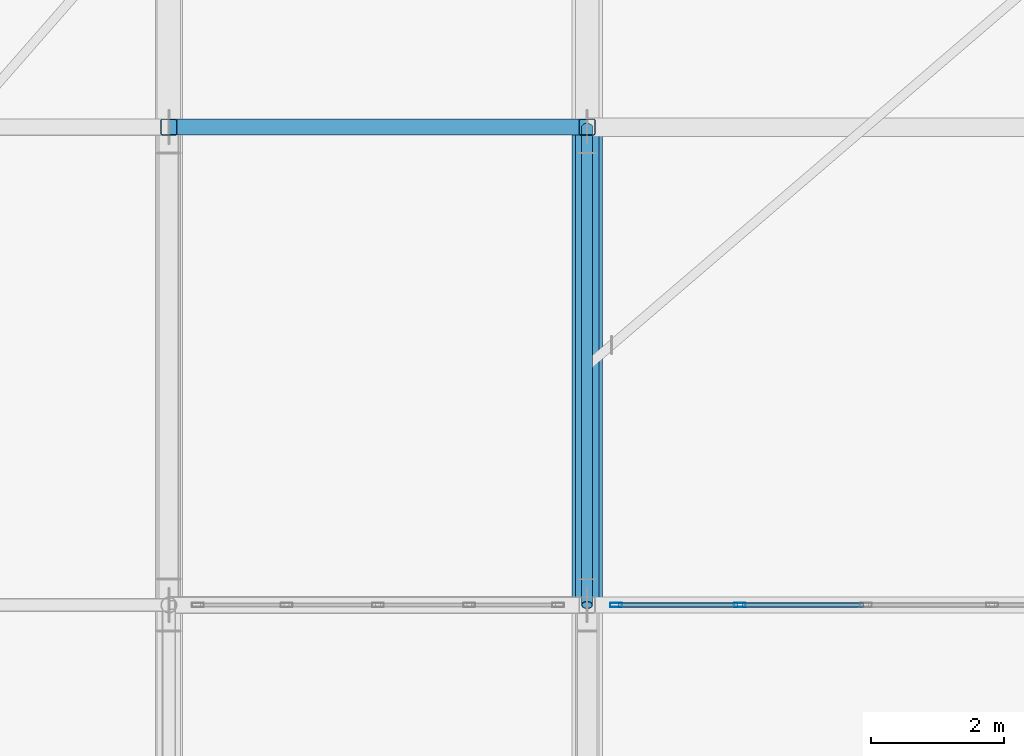
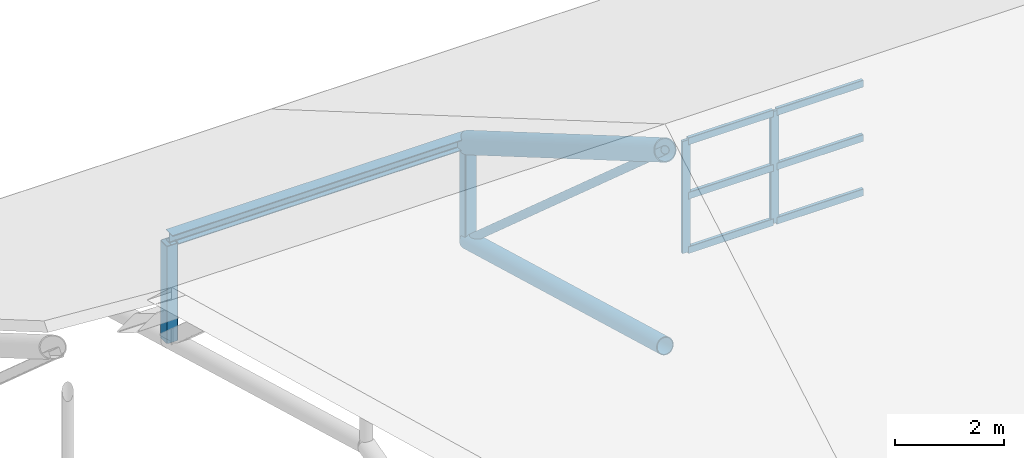
# One storey, part 8 of 54: 14 members, 1 element without a shape of its own.
"""IFC4 building model written with IfcOpenShell, lengths in metres."""

from ifc_helpers import new_model, si_unit, direction, frame, origin, origin_2d, place, context, subcontext, project, spatial, hollow_rectangle, hollow_circle, i_section, extrude, material, layer, layer_set, material_profile, profile_set, type_object, element, aggregate, save


model = new_model("IFC4")

# Units and contexts
model_context = context("Model", 3, precision=1e-05, world=origin(), true_north=direction((0.0, 1.0)))
body_context = subcontext(model_context, "Body", "Model", "MODEL_VIEW")
ifc_project = project(units=[si_unit("LENGTHUNIT", "METRE"), si_unit("AREAUNIT", "SQUARE_METRE"), si_unit("VOLUMEUNIT", "CUBIC_METRE"), si_unit("PLANEANGLEUNIT", "RADIAN"), si_unit("MASSUNIT", "GRAM", prefix="KILO")], contexts=[model_context])

# Site, building, storey
site_placement = place(None, origin())
site = spatial("IfcSite", under=ifc_project, at=site_placement, CompositionType="ELEMENT")
building_placement = place(site_placement, origin())
building = spatial("IfcBuilding", under=site, at=building_placement, Name="Zulmaris Art Gallery", CompositionType="ELEMENT")
storey_placement = place(building_placement, frame((0.0, 0.0, 26.39990234375)))
storey = spatial("IfcBuildingStorey", under=building, at=storey_placement, Name="L05", CompositionType="ELEMENT", Elevation=26.39990234375)

# Curtain wall, members
ifc_material_1 = material(Name="Pitched Roof North-Light Clerestory Wall", Category="aluminium")
ifc_layer = layer(ifc_material_1, 0.179931640625)
ifc_layer_set = layer_set([ifc_layer], Name="Pitched Roof North-Light Clerestory Wall")
curtain_wall_type = type_object("IfcCurtainWallType", Name="CW-CW05", PredefinedType="NOTDEFINED", material=ifc_layer_set)
curtain_wall_placement = place(storey_placement, origin())
curtain_wall = element("IfcCurtainWall", 1, at=curtain_wall_placement, inside=storey, type_object=curtain_wall_type, Name="L05 curtain wall 45", PredefinedType="NOTDEFINED")
ifc_material_2 = material(Name="Anodised Bronze Aluminium", Category="aluminium")
ifc_material_profile_1 = material_profile(ifc_material_2, hollow_rectangle(XDim=0.06494140625, YDim=0.179931640625, WallThickness=0.00390625, InnerFilletRadius=0.006103515625, OuterFilletRadius=0.010009765625, at=origin_2d()), Name="ALU 65x180x4")
ifc_profile_set_1 = profile_set([ifc_material_profile_1], Name="Anodised Bronze Aluminium")
member_type_1 = type_object("IfcMemberType", Name="CWMUL-01", PredefinedType="MULLION", material=ifc_profile_set_1)
member_1_placement = place(storey_placement, frame((24.4375, 36.0, 5.400146484375), z_axis=(0.0, 0.0, 1.0), x_axis=(0.0, 1.0, 0.0)))
member_1 = element("IfcMember", 2, at=member_1_placement, type_object=member_type_1, Name="CW05 mullion 1", PredefinedType="MULLION", context=body_context, shape_type="SweptSolid", body=[
    extrude(hollow_rectangle(XDim=0.06494140625, YDim=0.179931640625, WallThickness=0.00390625, InnerFilletRadius=0.006103515625, OuterFilletRadius=0.010009765625, at=origin_2d()), origin(), (0.0, 0.0, 1.0), 2.5),
])
member_2_placement = place(storey_placement, frame((26.300048828125, 36.0, 5.400146484375), z_axis=(0.0, 0.0, 1.0), x_axis=(0.0, 1.0, 0.0)))
member_2 = element("IfcMember", 3, at=member_2_placement, type_object=member_type_1, Name="CW05 mullion 2", PredefinedType="MULLION", context=body_context, shape_type="SweptSolid", body=[
    extrude(hollow_rectangle(XDim=0.06494140625, YDim=0.179931640625, WallThickness=0.00390625, InnerFilletRadius=0.006103515625, OuterFilletRadius=0.010009765625, at=origin_2d()), origin(), (0.0, 0.0, 1.0), 2.5),
])
ifc_material_profile_2 = material_profile(ifc_material_2, hollow_rectangle(XDim=0.074951171875, YDim=0.159912109375, WallThickness=0.00390625, InnerFilletRadius=0.006103515625, OuterFilletRadius=0.010009765625, at=origin_2d()), Name="ALU 75x160x4")
ifc_profile_set_2 = profile_set([ifc_material_profile_2], Name="Anodised Bronze Aluminium")
member_type_2 = type_object("IfcMemberType", Name="CWTRN-02", PredefinedType="USERDEFINED", material=ifc_profile_set_2)
member_3_placement = place(storey_placement, frame((24.47509765625, 36.0, 5.4375), z_axis=(1.0, 0.0, 0.0), x_axis=(0.0, 1.0, 0.0)))
member_3 = element("IfcMember", 4, at=member_3_placement, type_object=member_type_2, Name="CW05 transom 1.1", ObjectType="TRANSOM", PredefinedType="USERDEFINED", context=body_context, shape_type="SweptSolid", body=[
    extrude(hollow_rectangle(XDim=0.074951171875, YDim=0.159912109375, WallThickness=0.00390625, InnerFilletRadius=0.006103515625, OuterFilletRadius=0.010009765625, at=origin_2d()), origin(), (0.0, 0.0, 1.0), 1.787353515625),
])
member_4_placement = place(storey_placement, frame((24.47509765625, 36.0, 6.650146484375), z_axis=(1.0, 0.0, 0.0), x_axis=(0.0, 1.0, 0.0)))
member_4 = element("IfcMember", 5, at=member_4_placement, type_object=member_type_2, Name="CW05 transom 1.2", ObjectType="TRANSOM", PredefinedType="USERDEFINED", context=body_context, shape_type="SweptSolid", body=[
    extrude(hollow_rectangle(XDim=0.074951171875, YDim=0.159912109375, WallThickness=0.00390625, InnerFilletRadius=0.006103515625, OuterFilletRadius=0.010009765625, at=origin_2d()), origin(), (0.0, 0.0, 1.0), 1.787353515625),
])
member_5_placement = place(storey_placement, frame((24.47509765625, 36.0, 7.862548828125), z_axis=(1.0, 0.0, 0.0), x_axis=(0.0, 1.0, 0.0)))
member_5 = element("IfcMember", 6, at=member_5_placement, type_object=member_type_2, Name="CW05 transom 1.3", ObjectType="TRANSOM", PredefinedType="USERDEFINED", context=body_context, shape_type="SweptSolid", body=[
    extrude(hollow_rectangle(XDim=0.074951171875, YDim=0.159912109375, WallThickness=0.00390625, InnerFilletRadius=0.006103515625, OuterFilletRadius=0.010009765625, at=origin_2d()), origin(), (0.0, 0.0, 1.0), 1.787353515625),
])
member_6_placement = place(storey_placement, frame((26.33740234375, 36.0, 5.4375), z_axis=(1.0, 0.0, 0.0), x_axis=(0.0, 1.0, 0.0)))
member_6 = element("IfcMember", 7, at=member_6_placement, type_object=member_type_2, Name="CW05 transom 2.1", ObjectType="TRANSOM", PredefinedType="USERDEFINED", context=body_context, shape_type="SweptSolid", body=[
    extrude(hollow_rectangle(XDim=0.074951171875, YDim=0.159912109375, WallThickness=0.00390625, InnerFilletRadius=0.006103515625, OuterFilletRadius=0.010009765625, at=origin_2d()), origin(), (0.0, 0.0, 1.0), 1.8251953125),
])
member_7_placement = place(storey_placement, frame((26.33740234375, 36.0, 6.650146484375), z_axis=(1.0, 0.0, 0.0), x_axis=(0.0, 1.0, 0.0)))
member_7 = element("IfcMember", 8, at=member_7_placement, type_object=member_type_2, Name="CW05 transom 2.2", ObjectType="TRANSOM", PredefinedType="USERDEFINED", context=body_context, shape_type="SweptSolid", body=[
    extrude(hollow_rectangle(XDim=0.074951171875, YDim=0.159912109375, WallThickness=0.00390625, InnerFilletRadius=0.006103515625, OuterFilletRadius=0.010009765625, at=origin_2d()), origin(), (0.0, 0.0, 1.0), 1.8251953125),
])
member_8_placement = place(storey_placement, frame((26.33740234375, 36.0, 7.862548828125), z_axis=(1.0, 0.0, 0.0), x_axis=(0.0, 1.0, 0.0)))
member_8 = element("IfcMember", 9, at=member_8_placement, type_object=member_type_2, Name="CW05 transom 2.3", ObjectType="TRANSOM", PredefinedType="USERDEFINED", context=body_context, shape_type="SweptSolid", body=[
    extrude(hollow_rectangle(XDim=0.074951171875, YDim=0.159912109375, WallThickness=0.00390625, InnerFilletRadius=0.006103515625, OuterFilletRadius=0.010009765625, at=origin_2d()), origin(), (0.0, 0.0, 1.0), 1.8251953125),
])
aggregate(curtain_wall, [member_1, member_2, member_3, member_4, member_5, member_6, member_7, member_8])

# Members
ifc_material_3 = material(Name="Steel S355J2", Category="steel")
ifc_material_profile_3 = material_profile(ifc_material_3, i_section(OverallWidth=0.239990234375, OverallDepth=0.239990234375, WebThickness=0.010009765625, FlangeThickness=0.01708984375, FilletRadius=0.02099609375, at=origin_2d()), Name="HEB 240")
ifc_profile_set_3 = profile_set([ifc_material_profile_3], Name="Steel S355J2")
member_type_3 = type_object("IfcMemberType", Name="MEM-PR05", PredefinedType="PURLIN", material=ifc_profile_set_3)
member_9_placement = place(storey_placement, frame((17.699951171875, 43.199951171875, 3.7001953125), z_axis=(1.0, 0.0, 0.0), x_axis=(0.0, 1.0, 0.0)))
element("IfcMember", 10, at=member_9_placement, inside=storey, type_object=member_type_3, Name="Skylight roof purlin bay 2 line 4", PredefinedType="PURLIN", context=body_context, shape_type="SweptSolid", body=[
    extrude(i_section(OverallWidth=0.239990234375, OverallDepth=0.239990234375, WebThickness=0.010009765625, FlangeThickness=0.01708984375, FilletRadius=0.02099609375, at=origin_2d()), origin(), (0.0, 0.0, 1.0), 6.300048828125),
])
ifc_material_4 = material(Name="Steel S355J2H", Category="steel")
ifc_material_profile_4 = material_profile(ifc_material_4, hollow_circle(Radius=0.084228515625, WallThickness=0.008056640625, at=origin_2d()), Name="CHS 168.3x8")
ifc_profile_set_4 = profile_set([ifc_material_profile_4], Name="Steel S355J2H")
member_type_4 = type_object("IfcMemberType", Name="MEM-TB01", PredefinedType="BRACE", material=ifc_profile_set_4)
member_10_placement = place(storey_placement, frame((24.0, 36.0, 7.820068359375), z_axis=(0.0, 0.748961175261, -0.662613883006), x_axis=(-1.0, 0.0, 0.0)))
element("IfcMember", 11, at=member_10_placement, inside=storey, type_object=member_type_4, Name="Pitched gallery truss TR-R03 diagonal 3", PredefinedType="BRACE", context=body_context, shape_type="SweptSolid", body=[
    extrude(hollow_circle(Radius=0.084228515625, WallThickness=0.008056640625, at=origin_2d()), origin(), (0.0, 0.0, 1.0), 9.61328125),
])
ifc_material_profile_5 = material_profile(ifc_material_4, hollow_circle(Radius=0.177734375, WallThickness=0.01611328125, at=origin_2d()), Name="CHS 355.6x16")
ifc_profile_set_5 = profile_set([ifc_material_profile_5], Name="Steel S355J2H")
member_type_5 = type_object("IfcMemberType", Name="MEM-TC01", PredefinedType="CHORD", material=ifc_profile_set_5)
member_11_placement = place(storey_placement, frame((24.0, 36.0, 3.4501953125), z_axis=(0.0, 0.963517441554, -0.267645548853), x_axis=(-1.0, 0.0, 0.0)))
element("IfcMember", 12, at=member_11_placement, inside=storey, type_object=member_type_5, Name="Pitched gallery truss TR-R03 bottom chord 3", PredefinedType="CHORD", context=body_context, shape_type="SweptSolid", body=[
    extrude(hollow_circle(Radius=0.177734375, WallThickness=0.01611328125, at=origin_2d()), origin(), (0.0, 0.0, 1.0), 7.47265625),
])
ifc_material_profile_6 = material_profile(ifc_material_4, hollow_circle(Radius=0.228515625, WallThickness=0.02001953125, at=origin_2d()), Name="CHS 457x20")
ifc_profile_set_6 = profile_set([ifc_material_profile_6], Name="Steel S355J2H")
member_type_6 = type_object("IfcMemberType", Name="MEM-TC03", PredefinedType="CHORD", material=ifc_profile_set_6)
member_12_placement = place(storey_placement, frame((24.0, 36.0, 7.820068359375), z_axis=(0.0, 0.863779963214, -0.503869204407), x_axis=(-1.0, 0.0, 0.0)))
element("IfcMember", 13, at=member_12_placement, inside=storey, type_object=member_type_6, Name="Pitched gallery truss TR-R03 top chord 3", PredefinedType="CHORD", context=body_context, shape_type="SweptSolid", body=[
    extrude(hollow_circle(Radius=0.228515625, WallThickness=0.02001953125, at=origin_2d()), origin(), (0.0, 0.0, 1.0), 8.33544921875),
])
ifc_material_profile_7 = material_profile(ifc_material_4, hollow_rectangle(XDim=0.25, YDim=0.25, WallThickness=0.012451171875, InnerFilletRadius=0.018798828125, OuterFilletRadius=0.03125, at=origin_2d()), Name="SHS 250x250x12.5")
ifc_profile_set_7 = profile_set([ifc_material_profile_7], Name="Steel S355J2H")
member_type_7 = type_object("IfcMemberType", Name="MEM-TP05", PredefinedType="POST", material=ifc_profile_set_7)
for number, where, z_axis, x_axis, name in (
    (14, (17.699951171875, 43.199951171875, 1.4501953125), (0.0, 0.0, 1.0), (1.0, 0.0, 0.0), "Pitched gallery truss TR-R02 web post 4"),
    (15, (24.0, 43.199951171875, 1.4501953125), (0.0, 0.0, 1.0), (1.0, 0.0, 0.0), "Pitched gallery truss TR-R03 web post 4"),
):
    element("IfcMember", number, at=place(storey_placement, frame(where, z_axis=z_axis, x_axis=x_axis)), inside=storey, type_object=member_type_7, Name=name, PredefinedType="POST", context=body_context, shape_type="SweptSolid", body=[
        extrude(hollow_rectangle(XDim=0.25, YDim=0.25, WallThickness=0.012451171875, InnerFilletRadius=0.018798828125, OuterFilletRadius=0.03125, at=origin_2d()), origin(), (0.0, 0.0, 1.0), 2.169921875),
    ])

save(model, "model.ifc")
